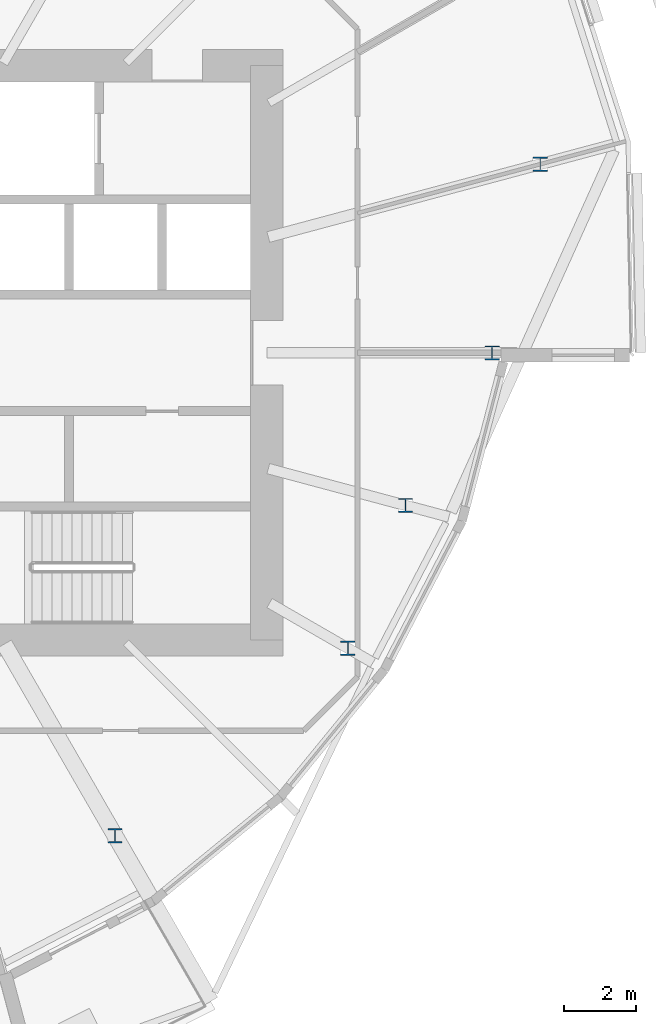
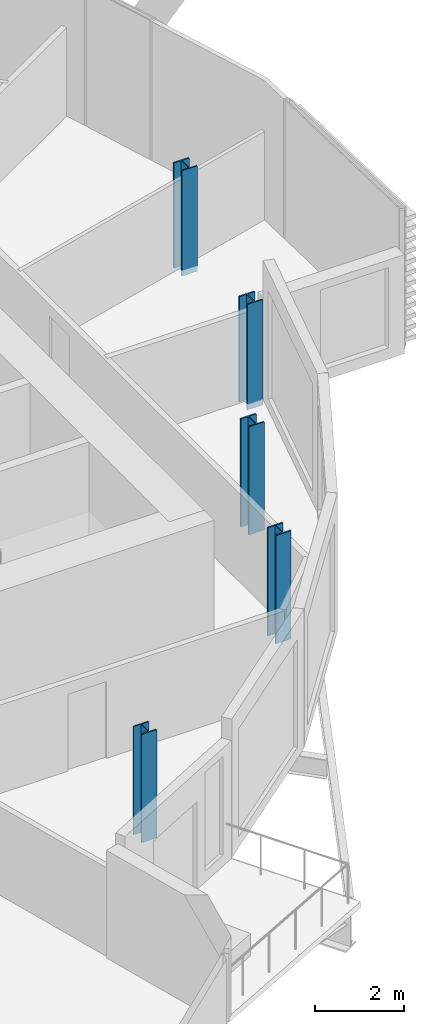
# One storey, part 2 of 36: 5 columns.
"""IFC4 building model written with IfcOpenShell, lengths in metres."""

from ifc_helpers import new_model, si_unit, direction, frame, origin, origin_2d, place, context, subcontext, project, spatial, i_section, extrude, material, material_profile, profile_set, type_object, element, save


model = new_model("IFC4")

# Units and contexts
model_context = context("Model", 3, precision=1e-05, world=origin(), true_north=direction((0.0, 1.0)))
body_context = subcontext(model_context, "Body", "Model", "MODEL_VIEW")
ifc_project = project(units=[si_unit("LENGTHUNIT", "METRE"), si_unit("AREAUNIT", "SQUARE_METRE"), si_unit("VOLUMEUNIT", "CUBIC_METRE"), si_unit("PLANEANGLEUNIT", "RADIAN"), si_unit("MASSUNIT", "GRAM", prefix="KILO")], contexts=[model_context])

# Site, building, storey
site_placement = place(None, origin())
site = spatial("IfcSite", under=ifc_project, at=site_placement, CompositionType="ELEMENT")
building_placement = place(site_placement, origin())
building = spatial("IfcBuilding", under=site, at=building_placement, Name="Rimbun Link Towers", CompositionType="ELEMENT")
storey_placement = place(building_placement, frame((0.0, 0.0, 64.199951171875)))
storey = spatial("IfcBuildingStorey", under=building, at=storey_placement, Name="L15", CompositionType="ELEMENT", Elevation=64.199951171875)

# Columns
ifc_material = material(Name="Steel S355J2", Category="steel")
ifc_material_profile = material_profile(ifc_material, i_section(OverallWidth=0.39892578125, OverallDepth=0.3935546875, WebThickness=0.022705078125, FlangeThickness=0.03662109375, at=origin_2d()), Name="UC 356x406x287")
ifc_profile_set = profile_set([ifc_material_profile], Name="Steel S355J2")
column_type = type_object("IfcColumnType", Name="UC 356x406x287", PredefinedType="COLUMN", material=ifc_profile_set)
for number, where, z_axis, x_axis, name in (
    (1, (39.519287109375, -13.456787109375, -0.159912109375), (0.0, 0.0, 1.0), (1.0, 0.0, 0.0), "Crease post T2 L15 17"),
    (2, (46.0068359375, -8.231201171875, -0.159912109375), (0.0, 0.0, 1.0), (1.0, 0.0, 0.0), "Crease post T2 L15 19"),
    (3, (47.610107421875, -4.249755859375, -0.159912109375), (0.0, 0.0, 1.0), (1.0, 0.0, 0.0), "Crease post T2 L15 20"),
):
    element("IfcColumn", number, at=place(storey_placement, frame(where, z_axis=z_axis, x_axis=x_axis)), inside=storey, type_object=column_type, Name=name, PredefinedType="COLUMN", context=body_context, shape_type="SweptSolid", body=[
        extrude(i_section(OverallWidth=0.39892578125, OverallDepth=0.3935546875, WebThickness=0.022705078125, FlangeThickness=0.03662109375, at=origin_2d()), origin(), (0.0, 0.0, 1.0), 2.959228515625),
    ])
for number, where, z_axis, x_axis, name in (
    (4, (50.026123046875, 0.0, -0.159912109375), (0.0, 0.0, 1.0), (1.0, 0.0, 0.0), "Crease post T2 L15 21"),
    (5, (51.3662109375, 5.256103515625, -0.159912109375), (0.0, 0.0, 1.0), (1.0, 0.0, 0.0), "Crease post T2 L15 22"),
):
    element("IfcColumn", number, at=place(storey_placement, frame(where, z_axis=z_axis, x_axis=x_axis)), inside=storey, type_object=column_type, Name=name, PredefinedType="COLUMN", context=body_context, shape_type="SweptSolid", body=[
        extrude(i_section(OverallWidth=0.39892578125, OverallDepth=0.3935546875, WebThickness=0.022705078125, FlangeThickness=0.03662109375, at=origin_2d()), origin(), (0.0, 0.0, 1.0), 2.881591796875),
    ])

save(model, "model.ifc")
